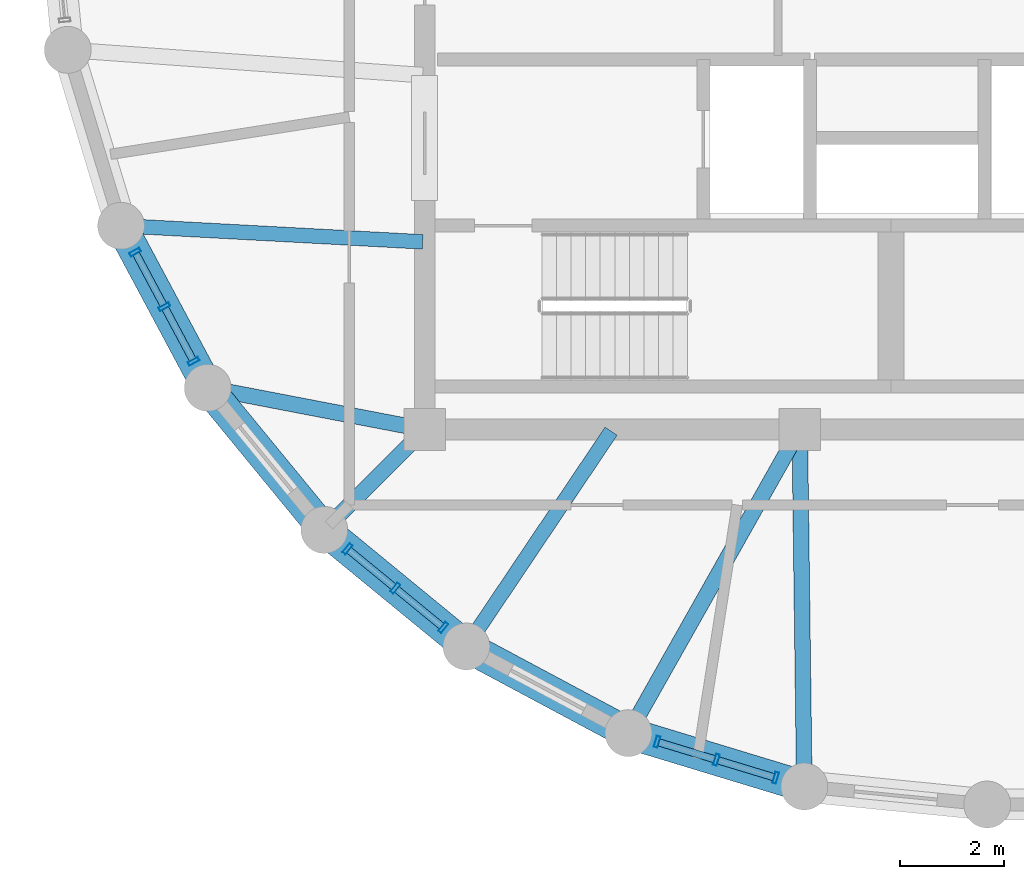
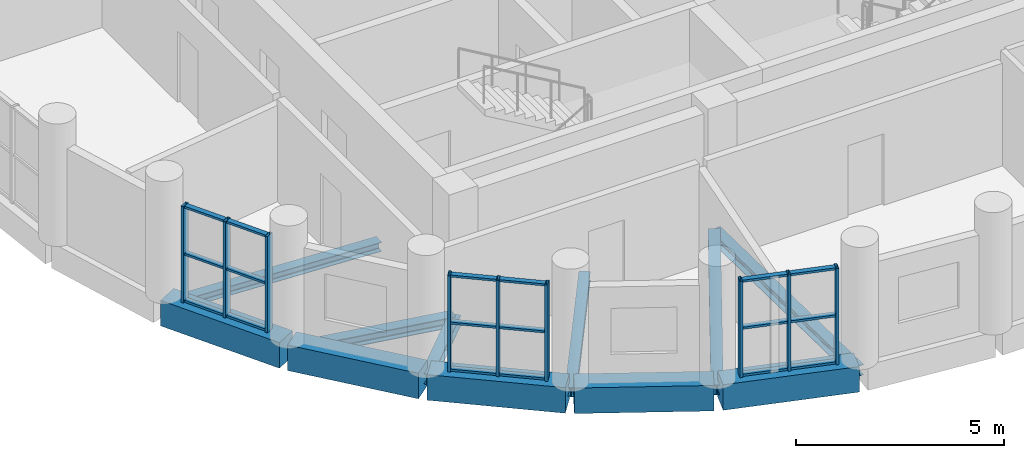
# One storey, part 2 of 12: 27 members, 11 beams, 3 elements without a shape of their own.
"""IFC4 building model written with IfcOpenShell, lengths in metres."""

from ifc_helpers import new_model, si_unit, direction, frame, origin, origin_2d, place, context, subcontext, project, spatial, rectangle, hollow_rectangle, i_section, extrude, material, layer, layer_set, material_profile, profile_set, type_object, element, aggregate, save


model = new_model("IFC4")

# Units and contexts
model_context = context("Model", 3, precision=1e-05, world=origin(), true_north=direction((0.0, 1.0)))
body_context = subcontext(model_context, "Body", "Model", "MODEL_VIEW")
ifc_project = project(units=[si_unit("LENGTHUNIT", "METRE"), si_unit("AREAUNIT", "SQUARE_METRE"), si_unit("VOLUMEUNIT", "CUBIC_METRE"), si_unit("PLANEANGLEUNIT", "RADIAN"), si_unit("MASSUNIT", "GRAM", prefix="KILO")], contexts=[model_context])

# Site, building, storey
site_placement = place(None, origin())
site = spatial("IfcSite", under=ifc_project, at=site_placement, CompositionType="ELEMENT")
building_placement = place(site_placement, origin())
building = spatial("IfcBuilding", under=site, at=building_placement, Name="Solnavia Interchange Tower", CompositionType="ELEMENT")
storey_placement = place(building_placement, frame((0.0, 0.0, 228.199951171875)))
storey = spatial("IfcBuildingStorey", under=building, at=storey_placement, Name="L57", CompositionType="ELEMENT", Elevation=228.199951171875)

# Beams
ifc_material_1 = material(Name="Steel S460", Category="steel")
ifc_material_profile_1 = material_profile(ifc_material_1, i_section(OverallWidth=0.300048828125, OverallDepth=0.300048828125, WebThickness=0.010986328125, FlangeThickness=0.01904296875, FilletRadius=0.027099609375, at=origin_2d()), Name="HEB 300")
ifc_profile_set_1 = profile_set([ifc_material_profile_1], Name="Steel S460")
beam_type_1 = type_object("IfcBeamType", Name="Beam-Girder-HEB300", PredefinedType="BEAM", material=ifc_profile_set_1)
beam_1_placement = place(storey_placement, frame((10.3125, 11.5849609375, -0.39990234375), z_axis=(0.982057527796, -0.188581579428, 0.0), x_axis=(0.188581579428, 0.982057527796, 0.0)))
element("IfcBeam", 1, at=beam_1_placement, inside=storey, type_object=beam_type_1, Name="GRD-L57-DR07 Drum radial floor girder", PredefinedType="BEAM", context=body_context, shape_type="SweptSolid", body=[
    extrude(i_section(OverallWidth=0.300048828125, OverallDepth=0.300048828125, WebThickness=0.010986328125, FlangeThickness=0.01904296875, FilletRadius=0.027099609375, at=origin_2d()), origin(), (0.0, 0.0, 1.0), 4.1220703125),
])
beam_2_placement = place(storey_placement, frame((18.351318359375, 5.039794921875, -0.39990234375), z_axis=(0.491243158486, 0.871022479182, 0.0), x_axis=(-0.871022479182, 0.491243158486, 0.0)))
element("IfcBeam", 2, at=beam_2_placement, inside=storey, type_object=beam_type_1, Name="GRD-L57-DR10 Drum radial floor girder", PredefinedType="BEAM", context=body_context, shape_type="SweptSolid", body=[
    extrude(i_section(OverallWidth=0.300048828125, OverallDepth=0.300048828125, WebThickness=0.010986328125, FlangeThickness=0.01904296875, FilletRadius=0.027099609375, at=origin_2d()), origin(), (0.0, 0.0, 1.0), 6.5732421875),
])
ifc_material_2 = material(Name="Steel S355", Category="steel")
ifc_material_profile_2 = material_profile(ifc_material_2, i_section(OverallWidth=0.280029296875, OverallDepth=0.27001953125, WebThickness=0.008056640625, FlangeThickness=0.012939453125, FilletRadius=0.02392578125, at=origin_2d()), Name="HEA 280")
ifc_profile_set_2 = profile_set([ifc_material_profile_2], Name="Steel S355")
beam_type_2 = type_object("IfcBeamType", Name="Beam-Primary-HEA280", PredefinedType="BEAM", material=ifc_profile_set_2)
beam_3_placement = place(storey_placement, frame((8.64990234375, 14.707763671875, -0.385009765625), z_axis=(0.998570371303, -0.053452909696, 0.0), x_axis=(0.053452909696, 0.998570371303, 0.0)))
element("IfcBeam", 3, at=beam_3_placement, inside=storey, type_object=beam_type_2, Name="GRD-L57-DR06 Drum radial floor girder", PredefinedType="BEAM", context=body_context, shape_type="SweptSolid", body=[
    extrude(i_section(OverallWidth=0.280029296875, OverallDepth=0.27001953125, WebThickness=0.008056640625, FlangeThickness=0.012939453125, FilletRadius=0.02392578125, at=origin_2d()), origin(), (0.0, 0.0, 1.0), 5.71826171875),
])
beam_4_placement = place(storey_placement, frame((15.24462890625, 6.700439453125, -0.385009765625), z_axis=(0.557835474219, 0.829951555033, 0.0), x_axis=(-0.829951555033, 0.557835474219, 0.0)))
element("IfcBeam", 4, at=beam_4_placement, inside=storey, type_object=beam_type_2, Name="GRD-L57-DR09 Drum radial floor girder", PredefinedType="BEAM", context=body_context, shape_type="SweptSolid", body=[
    extrude(i_section(OverallWidth=0.280029296875, OverallDepth=0.27001953125, WebThickness=0.008056640625, FlangeThickness=0.012939453125, FilletRadius=0.02392578125, at=origin_2d()), origin(), (0.0, 0.0, 1.0), 4.899658203125),
])
ifc_material_profile_3 = material_profile(ifc_material_2, i_section(OverallWidth=0.300048828125, OverallDepth=0.31005859375, WebThickness=0.009033203125, FlangeThickness=0.015380859375, FilletRadius=0.027099609375, at=origin_2d()), Name="HEA 320")
ifc_profile_set_3 = profile_set([ifc_material_profile_3], Name="Steel S355")
beam_type_3 = type_object("IfcBeamType", Name="Beam-Primary-HEA320", PredefinedType="BEAM", material=ifc_profile_set_3)
beam_5_placement = place(storey_placement, frame((12.528564453125, 8.9287109375, -0.405029296875), z_axis=(0.707106781187, 0.707106781187, 0.0), x_axis=(-0.707106781187, 0.707106781187, 0.0)))
element("IfcBeam", 5, at=beam_5_placement, inside=storey, type_object=beam_type_3, Name="GRD-L57-DR08 Drum radial floor girder", PredefinedType="BEAM", context=body_context, shape_type="SweptSolid", body=[
    extrude(i_section(OverallWidth=0.300048828125, OverallDepth=0.31005859375, WebThickness=0.009033203125, FlangeThickness=0.015380859375, FilletRadius=0.027099609375, at=origin_2d()), origin(), (0.0, 0.0, 1.0), 2.6064453125),
])
beam_6_placement = place(storey_placement, frame((21.68701171875, 4.02587890625, -0.405029296875), z_axis=(-0.01283293513, 0.999917654498, 0.0), x_axis=(-0.999917654498, -0.01283293513, 0.0)))
element("IfcBeam", 6, at=beam_6_placement, inside=storey, type_object=beam_type_3, Name="GRD-L57-DR11 Drum radial floor girder", PredefinedType="BEAM", context=body_context, shape_type="SweptSolid", body=[
    extrude(i_section(OverallWidth=0.300048828125, OverallDepth=0.31005859375, WebThickness=0.009033203125, FlangeThickness=0.015380859375, FilletRadius=0.027099609375, at=origin_2d()), origin(), (0.0, 0.0, 1.0), 6.734619140625),
])
ifc_material_3 = material(Name="Concrete C50/60", Category="concrete")
ifc_material_profile_4 = material_profile(ifc_material_3, rectangle(XDim=0.60009765625, YDim=0.75, at=origin_2d()), Name="RC 600x750")
ifc_profile_set_4 = profile_set([ifc_material_profile_4], Name="Concrete C50/60")
beam_type_4 = type_object("IfcBeamType", Name="Beam-Spandrel-RC600x750", PredefinedType="SPANDREL", material=ifc_profile_set_4)
beam_7_placement = place(storey_placement, frame((8.607666015625, 14.6416015625, -0.375), z_axis=(0.471509422952, -0.881861023102, 0.0), x_axis=(0.881861023102, 0.471509422952, 0.0)))
element("IfcBeam", 7, at=beam_7_placement, inside=storey, type_object=beam_type_4, Name="SPB-L57-03 Framed-tube perimeter spandrel beam", PredefinedType="SPANDREL", context=body_context, shape_type="SweptSolid", body=[
    extrude(rectangle(XDim=0.60009765625, YDim=0.75, at=origin_2d()), origin(), (0.0, 0.0, 1.0), 3.369140625),
])
for number, where, z_axis, x_axis, name in (
    (8, (10.28466796875, 11.5380859375, -0.375), (0.634298841675, -0.773087950656, 0.0), (0.773087950656, 0.634298841675, 0.0), "SPB-L57-04 Framed-tube perimeter spandrel beam"),
    (9, (12.53369140625, 8.8212890625, -0.375), (0.773152644452, -0.634219984214, 0.0), (0.634219984214, 0.773152644452, 0.0), "SPB-L57-05 Framed-tube perimeter spandrel beam"),
):
    element("IfcBeam", number, at=place(storey_placement, frame(where, z_axis=z_axis, x_axis=x_axis)), inside=storey, type_object=beam_type_4, Name=name, PredefinedType="SPANDREL", context=body_context, shape_type="SweptSolid", body=[
        extrude(rectangle(XDim=0.60009765625, YDim=0.75, at=origin_2d()), origin(), (0.0, 0.0, 1.0), 3.36865234375),
    ])
beam_8_placement = place(storey_placement, frame((15.2705078125, 6.59619140625, -0.375), z_axis=(0.881875044348, -0.47148319817, 0.0), x_axis=(0.47148319817, 0.881875044348, 0.0)))
element("IfcBeam", 10, at=beam_8_placement, inside=storey, type_object=beam_type_4, Name="SPB-L57-06 Framed-tube perimeter spandrel beam", PredefinedType="SPANDREL", context=body_context, shape_type="SweptSolid", body=[
    extrude(rectangle(XDim=0.60009765625, YDim=0.75, at=origin_2d()), origin(), (0.0, 0.0, 1.0), 3.368896484375),
])
beam_9_placement = place(storey_placement, frame((18.388671875, 4.94677734375, -0.375), z_axis=(0.956943884494, -0.290272978297, 0.0), x_axis=(0.290272978297, 0.956943884494, 0.0)))
element("IfcBeam", 11, at=beam_9_placement, inside=storey, type_object=beam_type_4, Name="SPB-L57-07 Framed-tube perimeter spandrel beam", PredefinedType="SPANDREL", context=body_context, shape_type="SweptSolid", body=[
    extrude(rectangle(XDim=0.60009765625, YDim=0.75, at=origin_2d()), origin(), (0.0, 0.0, 1.0), 3.36767578125),
])

# Curtain wall, members
ifc_material_4 = material(Name="Aluminium Alloy 6063-T6", Category="aluminium")
ifc_layer = layer(ifc_material_4, 0.239990234375)
ifc_layer_set = layer_set([ifc_layer], Name="Aluminium Alloy 6063-T6")
curtain_wall_type = type_object("IfcCurtainWallType", Name="CurtainWall-Drum-CTW2", PredefinedType="NOTDEFINED", material=ifc_layer_set)
curtain_wall_1_placement = place(storey_placement, origin())
curtain_wall_1 = element("IfcCurtainWall", 12, at=curtain_wall_1_placement, inside=storey, type_object=curtain_wall_type, Name="CTW-L57-D39 CTW-2 curtain wall", PredefinedType="NOTDEFINED")
ifc_material_profile_5 = material_profile(ifc_material_4, hollow_rectangle(XDim=0.074951171875, YDim=0.219970703125, WallThickness=0.0048828125, at=origin_2d()), Name="ALU 220x75x5")
ifc_profile_set_5 = profile_set([ifc_material_profile_5], Name="Aluminium Alloy 6063-T6")
member_type_1 = type_object("IfcMemberType", Name="CW-Mullion-CWM-2", PredefinedType="MULLION", material=ifc_profile_set_5)
member_1_placement = place(storey_placement, frame((8.841064453125, 14.204833984375, 0.0), z_axis=(0.0, 0.0, 1.0), x_axis=(0.471560876964, -0.881833509976, 0.0)))
member_1 = element("IfcMember", 13, at=member_1_placement, type_object=member_type_1, Name="CTW-2 mullion 1", PredefinedType="MULLION", context=body_context, shape_type="SweptSolid", body=[
    extrude(hollow_rectangle(XDim=0.074951171875, YDim=0.219970703125, WallThickness=0.0048828125, at=origin_2d()), origin(), (0.0, 0.0, 1.0), 2.830078125),
])
member_2_placement = place(storey_placement, frame((9.402099609375, 13.156005859375, 0.0), z_axis=(0.0, 0.0, 1.0), x_axis=(0.471560876964, -0.881833509976, 0.0)))
member_2 = element("IfcMember", 14, at=member_2_placement, type_object=member_type_1, Name="CTW-2 mullion 2", PredefinedType="MULLION", context=body_context, shape_type="SweptSolid", body=[
    extrude(hollow_rectangle(XDim=0.074951171875, YDim=0.219970703125, WallThickness=0.0048828125, at=origin_2d()), origin(), (0.0, 0.0, 1.0), 2.830078125),
])
member_3_placement = place(storey_placement, frame((9.962890625, 12.107177734375, 0.0), z_axis=(0.0, 0.0, 1.0), x_axis=(0.471560876964, -0.881833509976, 0.0)))
member_3 = element("IfcMember", 15, at=member_3_placement, type_object=member_type_1, Name="CTW-2 mullion 3", PredefinedType="MULLION", context=body_context, shape_type="SweptSolid", body=[
    extrude(hollow_rectangle(XDim=0.074951171875, YDim=0.219970703125, WallThickness=0.0048828125, at=origin_2d()), origin(), (0.0, 0.0, 1.0), 2.830078125),
])

curtain_wall_2_placement = place(storey_placement, origin())
curtain_wall_2 = element("IfcCurtainWall", 16, at=curtain_wall_2_placement, inside=storey, type_object=curtain_wall_type, Name="CTW-L57-D41 CTW-2 curtain wall", PredefinedType="NOTDEFINED")
member_4_placement = place(storey_placement, frame((12.91650390625, 8.50732421875, 0.0), z_axis=(0.0, 0.0, 1.0), x_axis=(0.773103093557, -0.634280384951, 0.0)))
member_4 = element("IfcMember", 17, at=member_4_placement, type_object=member_type_1, Name="CTW-2 mullion 1", PredefinedType="MULLION", context=body_context, shape_type="SweptSolid", body=[
    extrude(hollow_rectangle(XDim=0.074951171875, YDim=0.219970703125, WallThickness=0.0048828125, at=origin_2d()), origin(), (0.0, 0.0, 1.0), 2.830078125),
])
member_5_placement = place(storey_placement, frame((13.8359375, 7.7529296875, 0.0), z_axis=(0.0, 0.0, 1.0), x_axis=(0.773103093557, -0.634280384951, 0.0)))
member_5 = element("IfcMember", 18, at=member_5_placement, type_object=member_type_1, Name="CTW-2 mullion 2", PredefinedType="MULLION", context=body_context, shape_type="SweptSolid", body=[
    extrude(hollow_rectangle(XDim=0.074951171875, YDim=0.219970703125, WallThickness=0.0048828125, at=origin_2d()), origin(), (0.0, 0.0, 1.0), 2.830078125),
])
member_6_placement = place(storey_placement, frame((14.75537109375, 6.998779296875, 0.0), z_axis=(0.0, 0.0, 1.0), x_axis=(0.773103093557, -0.634280384951, 0.0)))
member_6 = element("IfcMember", 19, at=member_6_placement, type_object=member_type_1, Name="CTW-2 mullion 3", PredefinedType="MULLION", context=body_context, shape_type="SweptSolid", body=[
    extrude(hollow_rectangle(XDim=0.074951171875, YDim=0.219970703125, WallThickness=0.0048828125, at=origin_2d()), origin(), (0.0, 0.0, 1.0), 2.830078125),
])

curtain_wall_3_placement = place(storey_placement, origin())
curtain_wall_3 = element("IfcCurtainWall", 20, at=curtain_wall_3_placement, inside=storey, type_object=curtain_wall_type, Name="CTW-L57-D43 CTW-2 curtain wall", PredefinedType="NOTDEFINED")
member_7_placement = place(storey_placement, frame((18.8623046875, 4.80322265625, 0.0), z_axis=(0.0, 0.0, 1.0), x_axis=(0.956942072515, -0.290278951786, 0.0)))
member_7 = element("IfcMember", 21, at=member_7_placement, type_object=member_type_1, Name="CTW-2 mullion 1", PredefinedType="MULLION", context=body_context, shape_type="SweptSolid", body=[
    extrude(hollow_rectangle(XDim=0.074951171875, YDim=0.219970703125, WallThickness=0.0048828125, at=origin_2d()), origin(), (0.0, 0.0, 1.0), 2.830078125),
])
member_8_placement = place(storey_placement, frame((20.0, 4.4580078125, 0.0), z_axis=(0.0, 0.0, 1.0), x_axis=(0.956942072515, -0.290278951786, 0.0)))
member_8 = element("IfcMember", 22, at=member_8_placement, type_object=member_type_1, Name="CTW-2 mullion 2", PredefinedType="MULLION", context=body_context, shape_type="SweptSolid", body=[
    extrude(hollow_rectangle(XDim=0.074951171875, YDim=0.219970703125, WallThickness=0.0048828125, at=origin_2d()), origin(), (0.0, 0.0, 1.0), 2.830078125),
])
member_9_placement = place(storey_placement, frame((21.1376953125, 4.11279296875, 0.0), z_axis=(0.0, 0.0, 1.0), x_axis=(0.956942072515, -0.290278951786, 0.0)))
member_9 = element("IfcMember", 23, at=member_9_placement, type_object=member_type_1, Name="CTW-2 mullion 3", PredefinedType="MULLION", context=body_context, shape_type="SweptSolid", body=[
    extrude(hollow_rectangle(XDim=0.074951171875, YDim=0.219970703125, WallThickness=0.0048828125, at=origin_2d()), origin(), (0.0, 0.0, 1.0), 2.830078125),
])

# Member
ifc_material_profile_6 = material_profile(ifc_material_4, hollow_rectangle(XDim=0.06494140625, YDim=0.139892578125, WallThickness=0.00390625, at=origin_2d()), Name="ALU 140x65x4")
ifc_profile_set_6 = profile_set([ifc_material_profile_6], Name="Aluminium Alloy 6063-T6")
member_type_2 = type_object("IfcMemberType", Name="CW-Transom-CWT-2", PredefinedType="USERDEFINED", material=ifc_profile_set_6)
member_10_placement = place(storey_placement, frame((8.85888671875, 14.171875, 0.032470703125), z_axis=(0.471406647105, -0.881915967122, 0.0), x_axis=(0.0, 0.0, 1.0)))
member_10 = element("IfcMember", 24, at=member_10_placement, type_object=member_type_2, Name="CTW-2 transom 1.1", ObjectType="TRANSOM", PredefinedType="USERDEFINED", context=body_context, shape_type="SweptSolid", body=[
    extrude(hollow_rectangle(XDim=0.06494140625, YDim=0.139892578125, WallThickness=0.00390625, at=origin_2d()), origin(), (0.0, 0.0, 1.0), 1.114501953125),
])

member_11_placement = place(storey_placement, frame((8.85888671875, 14.171875, 1.4150390625), z_axis=(0.471406647105, -0.881915967122, 0.0), x_axis=(0.0, 0.0, 1.0)))
member_11 = element("IfcMember", 25, at=member_11_placement, type_object=member_type_2, Name="CTW-2 transom 1.2", ObjectType="TRANSOM", PredefinedType="USERDEFINED", context=body_context, shape_type="SweptSolid", body=[
    extrude(hollow_rectangle(XDim=0.06494140625, YDim=0.139892578125, WallThickness=0.00390625, at=origin_2d()), origin(), (0.0, 0.0, 1.0), 1.114501953125),
])

member_12_placement = place(storey_placement, frame((8.85888671875, 14.171875, 2.797607421875), z_axis=(0.471406647105, -0.881915967122, 0.0), x_axis=(0.0, 0.0, 1.0)))
member_12 = element("IfcMember", 26, at=member_12_placement, type_object=member_type_2, Name="CTW-2 transom 1.3", ObjectType="TRANSOM", PredefinedType="USERDEFINED", context=body_context, shape_type="SweptSolid", body=[
    extrude(hollow_rectangle(XDim=0.06494140625, YDim=0.139892578125, WallThickness=0.00390625, at=origin_2d()), origin(), (0.0, 0.0, 1.0), 1.114501953125),
])

member_13_placement = place(storey_placement, frame((9.419677734375, 13.123046875, 0.032470703125), z_axis=(0.471576996491, -0.881824889862, 0.0), x_axis=(0.0, 0.0, 1.0)))
member_13 = element("IfcMember", 27, at=member_13_placement, type_object=member_type_2, Name="CTW-2 transom 2.1", ObjectType="TRANSOM", PredefinedType="USERDEFINED", context=body_context, shape_type="SweptSolid", body=[
    extrude(hollow_rectangle(XDim=0.06494140625, YDim=0.139892578125, WallThickness=0.00390625, at=origin_2d()), origin(), (0.0, 0.0, 1.0), 1.11474609375),
])

member_14_placement = place(storey_placement, frame((9.419677734375, 13.123046875, 1.4150390625), z_axis=(0.471576996491, -0.881824889862, 0.0), x_axis=(0.0, 0.0, 1.0)))
member_14 = element("IfcMember", 28, at=member_14_placement, type_object=member_type_2, Name="CTW-2 transom 2.2", ObjectType="TRANSOM", PredefinedType="USERDEFINED", context=body_context, shape_type="SweptSolid", body=[
    extrude(hollow_rectangle(XDim=0.06494140625, YDim=0.139892578125, WallThickness=0.00390625, at=origin_2d()), origin(), (0.0, 0.0, 1.0), 1.11474609375),
])

member_15_placement = place(storey_placement, frame((9.419677734375, 13.123046875, 2.797607421875), z_axis=(0.471576996491, -0.881824889862, 0.0), x_axis=(0.0, 0.0, 1.0)))
member_15 = element("IfcMember", 29, at=member_15_placement, type_object=member_type_2, Name="CTW-2 transom 2.3", ObjectType="TRANSOM", PredefinedType="USERDEFINED", context=body_context, shape_type="SweptSolid", body=[
    extrude(hollow_rectangle(XDim=0.06494140625, YDim=0.139892578125, WallThickness=0.00390625, at=origin_2d()), origin(), (0.0, 0.0, 1.0), 1.11474609375),
])

aggregate(curtain_wall_1, [member_1, member_2, member_3, member_10, member_11, member_12, member_13, member_14, member_15])

member_16_placement = place(storey_placement, frame((12.945556640625, 8.483642578125, 0.032470703125), z_axis=(0.773136723636, -0.634239392158, 0.0), x_axis=(0.0, 0.0, 1.0)))
member_16 = element("IfcMember", 30, at=member_16_placement, type_object=member_type_2, Name="CTW-2 transom 1.1", ObjectType="TRANSOM", PredefinedType="USERDEFINED", context=body_context, shape_type="SweptSolid", body=[
    extrude(hollow_rectangle(XDim=0.06494140625, YDim=0.139892578125, WallThickness=0.00390625, at=origin_2d()), origin(), (0.0, 0.0, 1.0), 1.114501953125),
])

member_17_placement = place(storey_placement, frame((12.945556640625, 8.483642578125, 1.4150390625), z_axis=(0.773136723636, -0.634239392158, 0.0), x_axis=(0.0, 0.0, 1.0)))
member_17 = element("IfcMember", 31, at=member_17_placement, type_object=member_type_2, Name="CTW-2 transom 1.2", ObjectType="TRANSOM", PredefinedType="USERDEFINED", context=body_context, shape_type="SweptSolid", body=[
    extrude(hollow_rectangle(XDim=0.06494140625, YDim=0.139892578125, WallThickness=0.00390625, at=origin_2d()), origin(), (0.0, 0.0, 1.0), 1.114501953125),
])

member_18_placement = place(storey_placement, frame((12.945556640625, 8.483642578125, 2.797607421875), z_axis=(0.773136723636, -0.634239392158, 0.0), x_axis=(0.0, 0.0, 1.0)))
member_18 = element("IfcMember", 32, at=member_18_placement, type_object=member_type_2, Name="CTW-2 transom 1.3", ObjectType="TRANSOM", PredefinedType="USERDEFINED", context=body_context, shape_type="SweptSolid", body=[
    extrude(hollow_rectangle(XDim=0.06494140625, YDim=0.139892578125, WallThickness=0.00390625, at=origin_2d()), origin(), (0.0, 0.0, 1.0), 1.114501953125),
])

member_19_placement = place(storey_placement, frame((13.864990234375, 7.729248046875, 0.032470703125), z_axis=(0.773048573819, -0.634346831407, 0.0), x_axis=(0.0, 0.0, 1.0)))
member_19 = element("IfcMember", 33, at=member_19_placement, type_object=member_type_2, Name="CTW-2 transom 2.1", ObjectType="TRANSOM", PredefinedType="USERDEFINED", context=body_context, shape_type="SweptSolid", body=[
    extrude(hollow_rectangle(XDim=0.06494140625, YDim=0.139892578125, WallThickness=0.00390625, at=origin_2d()), origin(), (0.0, 0.0, 1.0), 1.1142578125),
])

member_20_placement = place(storey_placement, frame((13.864990234375, 7.729248046875, 1.4150390625), z_axis=(0.773048573819, -0.634346831407, 0.0), x_axis=(0.0, 0.0, 1.0)))
member_20 = element("IfcMember", 34, at=member_20_placement, type_object=member_type_2, Name="CTW-2 transom 2.2", ObjectType="TRANSOM", PredefinedType="USERDEFINED", context=body_context, shape_type="SweptSolid", body=[
    extrude(hollow_rectangle(XDim=0.06494140625, YDim=0.139892578125, WallThickness=0.00390625, at=origin_2d()), origin(), (0.0, 0.0, 1.0), 1.1142578125),
])

member_21_placement = place(storey_placement, frame((13.864990234375, 7.729248046875, 2.797607421875), z_axis=(0.773048573819, -0.634346831407, 0.0), x_axis=(0.0, 0.0, 1.0)))
member_21 = element("IfcMember", 35, at=member_21_placement, type_object=member_type_2, Name="CTW-2 transom 2.3", ObjectType="TRANSOM", PredefinedType="USERDEFINED", context=body_context, shape_type="SweptSolid", body=[
    extrude(hollow_rectangle(XDim=0.06494140625, YDim=0.139892578125, WallThickness=0.00390625, at=origin_2d()), origin(), (0.0, 0.0, 1.0), 1.1142578125),
])

aggregate(curtain_wall_2, [member_4, member_5, member_6, member_16, member_17, member_18, member_19, member_20, member_21])

member_22_placement = place(storey_placement, frame((18.898193359375, 4.792236328125, 0.032470703125), z_axis=(0.956965394332, -0.290202057283, 0.0), x_axis=(0.0, 0.0, 1.0)))
member_22 = element("IfcMember", 36, at=member_22_placement, type_object=member_type_2, Name="CTW-2 transom 1.1", ObjectType="TRANSOM", PredefinedType="USERDEFINED", context=body_context, shape_type="SweptSolid", body=[
    extrude(hollow_rectangle(XDim=0.06494140625, YDim=0.139892578125, WallThickness=0.00390625, at=origin_2d()), origin(), (0.0, 0.0, 1.0), 1.11376953125),
])

member_23_placement = place(storey_placement, frame((18.898193359375, 4.792236328125, 1.4150390625), z_axis=(0.956965394332, -0.290202057283, 0.0), x_axis=(0.0, 0.0, 1.0)))
member_23 = element("IfcMember", 37, at=member_23_placement, type_object=member_type_2, Name="CTW-2 transom 1.2", ObjectType="TRANSOM", PredefinedType="USERDEFINED", context=body_context, shape_type="SweptSolid", body=[
    extrude(hollow_rectangle(XDim=0.06494140625, YDim=0.139892578125, WallThickness=0.00390625, at=origin_2d()), origin(), (0.0, 0.0, 1.0), 1.11376953125),
])

member_24_placement = place(storey_placement, frame((18.898193359375, 4.792236328125, 2.797607421875), z_axis=(0.956965394332, -0.290202057283, 0.0), x_axis=(0.0, 0.0, 1.0)))
member_24 = element("IfcMember", 38, at=member_24_placement, type_object=member_type_2, Name="CTW-2 transom 1.3", ObjectType="TRANSOM", PredefinedType="USERDEFINED", context=body_context, shape_type="SweptSolid", body=[
    extrude(hollow_rectangle(XDim=0.06494140625, YDim=0.139892578125, WallThickness=0.00390625, at=origin_2d()), origin(), (0.0, 0.0, 1.0), 1.11376953125),
])

member_25_placement = place(storey_placement, frame((20.035888671875, 4.447021484375, 0.032470703125), z_axis=(0.956965394332, -0.290202057283, 0.0), x_axis=(0.0, 0.0, 1.0)))
member_25 = element("IfcMember", 39, at=member_25_placement, type_object=member_type_2, Name="CTW-2 transom 2.1", ObjectType="TRANSOM", PredefinedType="USERDEFINED", context=body_context, shape_type="SweptSolid", body=[
    extrude(hollow_rectangle(XDim=0.06494140625, YDim=0.139892578125, WallThickness=0.00390625, at=origin_2d()), origin(), (0.0, 0.0, 1.0), 1.11376953125),
])

member_26_placement = place(storey_placement, frame((20.035888671875, 4.447021484375, 1.4150390625), z_axis=(0.956965394332, -0.290202057283, 0.0), x_axis=(0.0, 0.0, 1.0)))
member_26 = element("IfcMember", 40, at=member_26_placement, type_object=member_type_2, Name="CTW-2 transom 2.2", ObjectType="TRANSOM", PredefinedType="USERDEFINED", context=body_context, shape_type="SweptSolid", body=[
    extrude(hollow_rectangle(XDim=0.06494140625, YDim=0.139892578125, WallThickness=0.00390625, at=origin_2d()), origin(), (0.0, 0.0, 1.0), 1.11376953125),
])

member_27_placement = place(storey_placement, frame((20.035888671875, 4.447021484375, 2.797607421875), z_axis=(0.956965394332, -0.290202057283, 0.0), x_axis=(0.0, 0.0, 1.0)))
member_27 = element("IfcMember", 41, at=member_27_placement, type_object=member_type_2, Name="CTW-2 transom 2.3", ObjectType="TRANSOM", PredefinedType="USERDEFINED", context=body_context, shape_type="SweptSolid", body=[
    extrude(hollow_rectangle(XDim=0.06494140625, YDim=0.139892578125, WallThickness=0.00390625, at=origin_2d()), origin(), (0.0, 0.0, 1.0), 1.11376953125),
])

aggregate(curtain_wall_3, [member_7, member_8, member_9, member_22, member_23, member_24, member_25, member_26, member_27])

save(model, "model.ifc")
